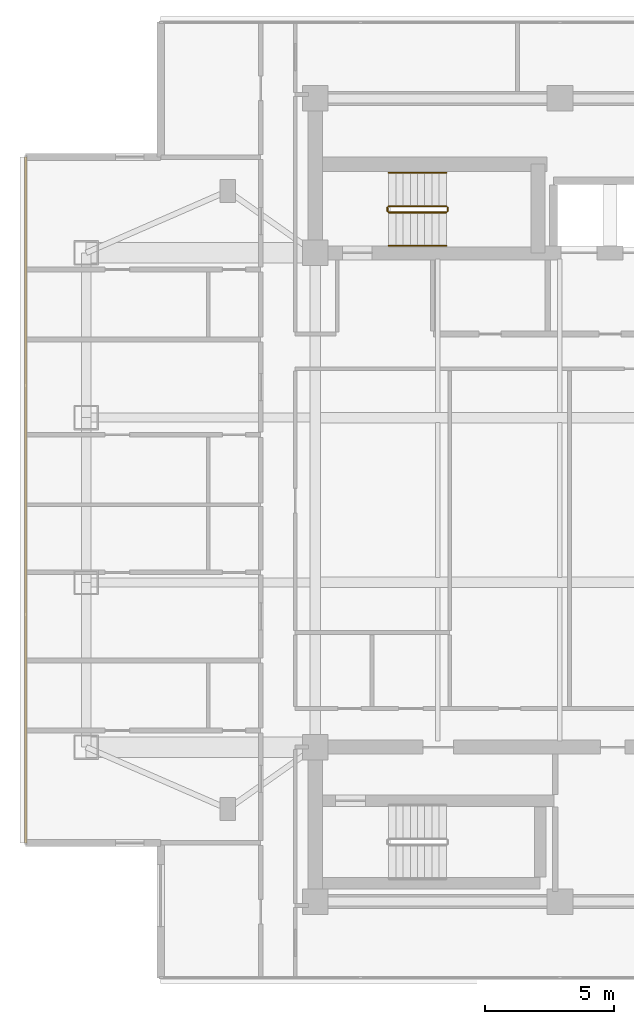
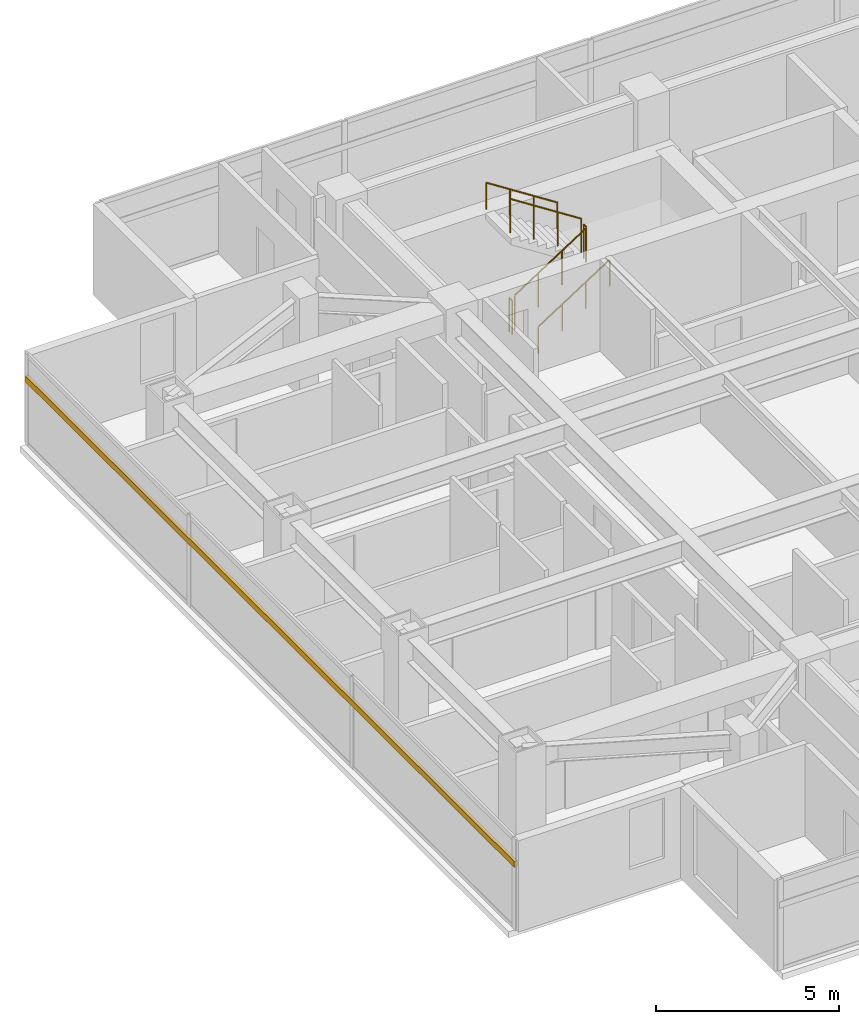
# One storey, part 20 of 24: 6 railings, 1 shading device.
"""IFC4 building model written with IfcOpenShell, lengths in metres."""

import ifcopenshell
import ifcopenshell.guid

model = None  # the IFC model being written
_history = None  # IfcOwnerHistory: only IFC2X3 demands one
_inside = {}  # id of a spatial element -> (the spatial element, [elements in it])
_under = {}  # id of a project, library or spatial element -> (it, [spatial elements below it])
_declared = {}  # id of a project -> (the project, [libraries it declares])
_typed = {}  # id of a type object -> (the type object, [elements of that type])
_made_of = {}  # id of a material, layer set ... -> (it, [elements and type objects made of it])


def new_model(schema):
    """Start an empty IFC model of exactly this schema.

    Asked for "IFC4X3", IfcOpenShell would pick the latest addendum, in which some entities
    have other attributes; the version numbers below select the first issue.
    IFC2X3 requires an IfcOwnerHistory on every rooted entity: one is made here for all.
    """
    global model, _history
    if schema == "IFC4X3":
        model = ifcopenshell.file(schema_version=(4, 3, 0, 0))
    else:
        model = ifcopenshell.file(schema=schema)
    _inside.clear()
    _under.clear()
    _declared.clear()
    _typed.clear()
    _made_of.clear()
    _history = None
    if model.schema == "IFC2X3":
        org = make("IfcOrganization", Name="unknown")
        user = make(
            "IfcPersonAndOrganization",
            ThePerson=make("IfcPerson", FamilyName="unknown"),
            TheOrganization=org,
        )
        app = make(
            "IfcApplication",
            ApplicationDeveloper=org,
            Version="unknown",
            ApplicationFullName="unknown",
            ApplicationIdentifier="unknown",
        )
        _history = make(
            "IfcOwnerHistory",
            OwningUser=user,
            OwningApplication=app,
            ChangeAction="ADDED",
            CreationDate=0,
        )
    return model


def make(cls, **values):
    """One entity of the class cls with the attributes given. An attribute that is None is left unset."""
    return model.create_entity(
        cls, **{name: value for name, value in values.items() if value is not None}
    )


def rooted(cls, **values):
    """An entity with a GlobalId (a new one), such as an element, a storey or a relation."""
    return make(cls, GlobalId=ifcopenshell.guid.new(), OwnerHistory=_history, **values)


def si_unit(unit_type, name, prefix=None):
    """IfcSIUnit, for example si_unit("LENGTHUNIT", "METRE", prefix="MILLI")."""
    return make("IfcSIUnit", UnitType=unit_type, Prefix=prefix, Name=name)


def assignment(units):
    """IfcUnitAssignment: the units of a project."""
    return None if units is None else make("IfcUnitAssignment", Units=units)


def point(xyz):
    """IfcCartesianPoint."""
    return None if xyz is None else make("IfcCartesianPoint", Coordinates=xyz)


def direction(xyz):
    """IfcDirection."""
    return None if xyz is None else make("IfcDirection", DirectionRatios=xyz)


def frame(location, z_axis=None, x_axis=None):
    """IfcAxis2Placement3D, a coordinate frame: its origin and axes. An axis left out is left unset."""
    return make(
        "IfcAxis2Placement3D",
        Location=point(location),
        Axis=direction(z_axis),
        RefDirection=direction(x_axis),
    )


def frame_2d(location, x_axis=None):
    """IfcAxis2Placement2D, a coordinate frame in the plane: its origin and x axis."""
    return make(
        "IfcAxis2Placement2D", Location=point(location), RefDirection=direction(x_axis)
    )


def origin():
    """The frame at (0, 0, 0) with its axes left unset."""
    return frame((0.0, 0.0, 0.0))


def origin_2d():
    """The frame at (0, 0) in the plane with its x axis left unset."""
    return frame_2d((0.0, 0.0))


def place(relative_to, where):
    """IfcLocalPlacement: puts the frame where relative to a parent placement (None: the world)."""
    return make(
        "IfcLocalPlacement", PlacementRelTo=relative_to, RelativePlacement=where
    )


def context(
    kind, dimensions, precision=None, world=None, true_north=None, identifier=None
):
    """IfcGeometricRepresentationContext, for example the 3D "Model" context."""
    return make(
        "IfcGeometricRepresentationContext",
        ContextIdentifier=identifier,
        ContextType=kind,
        CoordinateSpaceDimension=dimensions,
        Precision=precision,
        WorldCoordinateSystem=world,
        TrueNorth=true_north,
    )


def subcontext(parent, identifier, kind, view, scale=None):
    """IfcGeometricRepresentationSubContext, for example "Body" below "Model"."""
    return make(
        "IfcGeometricRepresentationSubContext",
        ContextIdentifier=identifier,
        ContextType=kind,
        ParentContext=parent,
        TargetScale=scale,
        TargetView=view,
    )


def project(units=None, contexts=None):
    """IfcProject with its units and contexts."""
    return rooted(
        "IfcProject",
        Name="project",
        RepresentationContexts=contexts,
        UnitsInContext=assignment(units),
    )


def spatial(cls, under=None, at=None, **own):
    """A site, building, storey or space (cls), placed at a placement, below another one or the project."""
    s = rooted(cls, ObjectPlacement=at, **own)
    if under is not None:
        _under.setdefault(under.id(), (under, []))[1].append(s)
    return s


def profile(cls, at=None, kind="AREA", **sizes):
    """A parametric profile (cls). Its sizes go by their IFC names, for example OverallWidth=200.0."""
    return make(cls, ProfileType=kind, Position=at, **sizes)


def rectangle(**sizes):
    """IfcRectangleProfileDef."""
    return profile("IfcRectangleProfileDef", **sizes)


def circle(**sizes):
    """IfcCircleProfileDef."""
    return profile("IfcCircleProfileDef", **sizes)


def extrude(swept, where, along, depth):
    """IfcExtrudedAreaSolid: the profile swept, set in the frame where, extruded along a direction by depth."""
    return make(
        "IfcExtrudedAreaSolid",
        SweptArea=swept,
        Position=where,
        ExtrudedDirection=direction(along),
        Depth=depth,
    )


def shape(context_of_items, identifier, shape_type, items):
    """IfcShapeRepresentation: the items that make up one representation, for example the "Body"."""
    return make(
        "IfcShapeRepresentation",
        ContextOfItems=context_of_items,
        RepresentationIdentifier=identifier,
        RepresentationType=shape_type,
        Items=items,
    )


def material(Name=None, Category=None):
    """IfcMaterial."""
    return make("IfcMaterial", Name=Name, Category=Category)


def material_profile(
    of_material, cross_section, Name=None, Category=None, Priority=None
):
    """IfcMaterialProfile: a cross section and its material."""
    return make(
        "IfcMaterialProfile",
        Name=Name,
        Material=of_material,
        Profile=cross_section,
        Priority=Priority,
        Category=Category,
    )


def profile_set(profiles, Name=None, composite=None):
    """IfcMaterialProfileSet."""
    return make(
        "IfcMaterialProfileSet",
        Name=Name,
        MaterialProfiles=profiles,
        CompositeProfile=composite,
    )


def made_of(thing, what):
    """Note that an element or type object is made of a material, layer set ...; save() writes the relation."""
    if what is not None:
        _made_of.setdefault(what.id(), (what, []))[1].append(thing)
    return thing


def type_object(cls, material=None, **own):
    """A type object (cls), such as IfcWallType, which elements share."""
    return made_of(rooted(cls, **own), material)


def element(
    cls,
    number,
    at=None,
    inside=None,
    cuts=None,
    type_object=None,
    material=None,
    context=None,
    identifier="Body",
    shape_type=None,
    held_by="IfcProductDefinitionShape",
    body=None,
    shapes=None,
    **own,
):
    """One element of the class cls, such as IfcWall. Its Tag is "e" and its number.

    at: its placement. inside: the storey or other place that contains it. cuts: it is an
    opening in that element (IfcRelVoidsElement). A single representation is given by context,
    identifier, shape_type and body (its items); several are given by shapes. held_by: the class
    of the entity that holds the representations. save() writes the other relations.
    """
    e = rooted(cls, Tag="e%d" % number, ObjectPlacement=at, **own)
    if body is not None:
        shapes = [shape(context, identifier, shape_type, body)]
    if shapes is not None:
        e.Representation = make(held_by, Representations=shapes)
    if inside is not None:
        _inside.setdefault(inside.id(), (inside, []))[1].append(e)
    if cuts is not None:
        rooted(
            "IfcRelVoidsElement", RelatingBuildingElement=cuts, RelatedOpeningElement=e
        )
    if type_object is not None:
        _typed.setdefault(type_object.id(), (type_object, []))[1].append(e)
    return made_of(e, material)


def aggregate(whole, parts):
    """IfcRelAggregates: a whole, such as a stair, and the parts it consists of."""
    return rooted("IfcRelAggregates", RelatingObject=whole, RelatedObjects=parts)


def save(model, path):
    """Write the relations noted so far, then the file.

    IfcRelAggregates (storeys below a building ...), IfcRelContainedInSpatialStructure (elements
    in a storey), IfcRelDefinesByType, IfcRelAssociatesMaterial and IfcRelDeclares: one each for
    every whole, place, type object, material and project.
    """
    for whole, parts in _under.values():
        aggregate(whole, parts)
    for where, things in _inside.values():
        rooted(
            "IfcRelContainedInSpatialStructure",
            RelatedElements=things,
            RelatingStructure=where,
        )
    for kind, things in _typed.values():
        rooted("IfcRelDefinesByType", RelatedObjects=things, RelatingType=kind)
    for what, things in _made_of.values():
        rooted("IfcRelAssociatesMaterial", RelatedObjects=things, RelatingMaterial=what)
    for by, libraries in _declared.values():
        rooted("IfcRelDeclares", RelatingContext=by, RelatedDefinitions=libraries)
    model.write(path)


model = new_model("IFC4")

# Units and contexts
model_context = context("Model", 3, precision=1e-05, world=origin(), true_north=direction((0.0, 1.0)))
body_context = subcontext(model_context, "Body", "Model", "MODEL_VIEW")
ifc_project = project(units=[si_unit("LENGTHUNIT", "METRE"), si_unit("AREAUNIT", "SQUARE_METRE"), si_unit("VOLUMEUNIT", "CUBIC_METRE"), si_unit("PLANEANGLEUNIT", "RADIAN"), si_unit("MASSUNIT", "GRAM", prefix="KILO")], contexts=[model_context])

# Site, building, storey
site_placement = place(None, origin())
site = spatial("IfcSite", under=ifc_project, at=site_placement, CompositionType="ELEMENT")
building_placement = place(site_placement, origin())
building = spatial("IfcBuilding", under=site, at=building_placement, Name="Mirazonda Arch Towers", CompositionType="ELEMENT")
storey_placement = place(building_placement, frame((0.0, 0.0, 167.39990234375)))
storey = spatial("IfcBuildingStorey", under=building, at=storey_placement, Name="L47", CompositionType="ELEMENT", Elevation=167.39990234375)

# Shading device
ifc_material_1 = material(Name="Kiln-Fired Architectural Terracotta", Category="masonry")
ifc_material_profile = material_profile(ifc_material_1, rectangle(XDim=0.10009765625, YDim=0.199951171875, at=origin_2d()), Name="TERRA-BAG-100x200")
ifc_profile_set = profile_set([ifc_material_profile], Name="Kiln-Fired Architectural Terracotta")
shading_device_type = type_object("IfcShadingDeviceType", Name="BAGUETTE-2", PredefinedType="USERDEFINED", material=ifc_profile_set)
shading_device_placement = place(storey_placement, frame((-0.25, 41.31689453125, 2.181640625), z_axis=(0.0, -1.0, 0.0), x_axis=(1.0, 0.0, 0.0)))
element("IfcShadingDevice", 1, at=shading_device_placement, inside=storey, type_object=shading_device_type, Name="L47 Glazed Terracotta Sun-Screen Baguette CW-L47-T1-W", ObjectType="BAGUETTE", PredefinedType="USERDEFINED", context=body_context, shape_type="SweptSolid", body=[
    extrude(rectangle(XDim=0.10009765625, YDim=0.199951171875, at=origin_2d()), origin(), (0.0, 0.0, 1.0), 26.6337890625),
])

# Railings
ifc_material_2 = material(Name="Architectural Brushed Steel S355", Category="steel")
railing_type_1 = type_object("IfcRailingType", Name="GUARD-STAIR-1120", PredefinedType="GUARDRAIL", material=ifc_material_2)
railing_1_placement = place(storey_placement, frame((13.85009765625, 39.169921875, 0.1806640625)))
element("IfcRailing", 2, at=railing_1_placement, inside=storey, type_object=railing_type_1, Name="L47 ST-T1N stair guard 1", PredefinedType="GUARDRAIL", context=body_context, shape_type="SweptSolid", body=[
    extrude(circle(Radius=0.02392578125, at=origin_2d()), frame((0.0, 0.0, 1.1259765625), z_axis=(0.840436612492, 0.0, 0.541909863706), x_axis=(0.0, 1.0, 0.0)), (0.0, 0.0, 1.0), 2.665283203125),
    extrude(circle(Radius=0.02099609375, at=origin_2d()), origin(), (0.0, 0.0, 1.0), 1.101806640625),
    extrude(circle(Radius=0.02099609375, at=origin_2d()), frame((0.74658203125, 0.0, 0.4814453125)), (0.0, 0.0, 1.0), 1.101806640625),
    extrude(circle(Radius=0.02099609375, at=origin_2d()), frame((1.493408203125, 0.0, 0.962890625)), (0.0, 0.0, 1.0), 1.101806640625),
    extrude(circle(Radius=0.02099609375, at=origin_2d()), frame((2.239990234375, 0.0, 1.4443359375)), (0.0, 0.0, 1.0), 1.101806640625),
])
railing_2_placement = place(storey_placement, frame((16.139892578125, 39.219970703125, 1.625)))
element("IfcRailing", 3, at=railing_2_placement, inside=storey, type_object=railing_type_1, Name="L47 ST-T1N stair guard 2", PredefinedType="GUARDRAIL", context=body_context, shape_type="SweptSolid", body=[
    extrude(circle(Radius=0.02392578125, at=origin_2d()), frame((0.0, 0.0, 1.1259765625), z_axis=(0.0, 1.0, 0.0), x_axis=(-1.0, 0.0, 0.0)), (0.0, 0.0, 1.0), 0.14013671875),
    extrude(circle(Radius=0.02099609375, at=origin_2d()), origin(), (0.0, 0.0, 1.0), 1.101806640625),
    extrude(circle(Radius=0.02099609375, at=origin_2d()), frame((0.0, 0.14013671875, 0.0)), (0.0, 0.0, 1.0), 1.101806640625),
])
railing_3_placement = place(storey_placement, frame((16.090087890625, 39.409912109375, 1.8056640625)))
element("IfcRailing", 4, at=railing_3_placement, inside=storey, type_object=railing_type_1, Name="L47 ST-T1N stair guard 3", PredefinedType="GUARDRAIL", context=body_context, shape_type="SweptSolid", body=[
    extrude(circle(Radius=0.02392578125, at=origin_2d()), frame((0.0, 0.0, 1.1259765625), z_axis=(-0.840436612492, 0.0, 0.541909863706), x_axis=(0.0, -1.0, 0.0)), (0.0, 0.0, 1.0), 2.665283203125),
    extrude(circle(Radius=0.02099609375, at=origin_2d()), origin(), (0.0, 0.0, 1.0), 1.101806640625),
    extrude(circle(Radius=0.02099609375, at=origin_2d()), frame((-0.74658203125, 0.0, 0.4814453125)), (0.0, 0.0, 1.0), 1.101806640625),
    extrude(circle(Radius=0.02099609375, at=origin_2d()), frame((-1.493408203125, 0.0, 0.962890625)), (0.0, 0.0, 1.0), 1.101806640625),
    extrude(circle(Radius=0.02099609375, at=origin_2d()), frame((-2.239990234375, 0.0, 1.4443359375)), (0.0, 0.0, 1.0), 1.101806640625),
])
railing_4_placement = place(storey_placement, frame((13.800048828125, 39.219970703125, 0.0)))
element("IfcRailing", 5, at=railing_4_placement, inside=storey, type_object=railing_type_1, Name="L47 ST-T1N stair guard 4", PredefinedType="GUARDRAIL", context=body_context, shape_type="SweptSolid", body=[
    extrude(circle(Radius=0.02392578125, at=origin_2d()), frame((0.0, 0.0, 1.1259765625), z_axis=(0.0, 1.0, 0.0), x_axis=(-1.0, 0.0, 0.0)), (0.0, 0.0, 1.0), 0.14013671875),
    extrude(circle(Radius=0.02099609375, at=origin_2d()), origin(), (0.0, 0.0, 1.0), 1.101806640625),
    extrude(circle(Radius=0.02099609375, at=origin_2d()), frame((0.0, 0.14013671875, 0.0)), (0.0, 0.0, 1.0), 1.101806640625),
])
railing_type_2 = type_object("IfcRailingType", Name="HANDRAIL-915", PredefinedType="HANDRAIL", material=ifc_material_2)
railing_5_placement = place(storey_placement, frame((13.85009765625, 37.8701171875, 0.1806640625)))
element("IfcRailing", 6, at=railing_5_placement, inside=storey, type_object=railing_type_2, Name="L47 ST-T1N stair handrail 1", PredefinedType="HANDRAIL", context=body_context, shape_type="SweptSolid", body=[
    extrude(circle(Radius=0.02392578125, at=origin_2d()), frame((0.0, 0.0, 0.8759765625), z_axis=(0.840436612492, 0.0, 0.541909863706), x_axis=(0.0, 1.0, 0.0)), (0.0, 0.0, 1.0), 2.665283203125),
    extrude(circle(Radius=0.02099609375, at=origin_2d()), origin(), (0.0, 0.0, 1.0), 0.851806640625),
    extrude(circle(Radius=0.02099609375, at=origin_2d()), frame((0.74658203125, 0.0, 0.4814453125)), (0.0, 0.0, 1.0), 0.851806640625),
    extrude(circle(Radius=0.02099609375, at=origin_2d()), frame((1.493408203125, 0.0, 0.962890625)), (0.0, 0.0, 1.0), 0.851806640625),
    extrude(circle(Radius=0.02099609375, at=origin_2d()), frame((2.239990234375, 0.0, 1.4443359375)), (0.0, 0.0, 1.0), 0.851806640625),
])
railing_6_placement = place(storey_placement, frame((16.090087890625, 40.7099609375, 1.8056640625)))
element("IfcRailing", 7, at=railing_6_placement, inside=storey, type_object=railing_type_2, Name="L47 ST-T1N stair handrail 2", PredefinedType="HANDRAIL", context=body_context, shape_type="SweptSolid", body=[
    extrude(circle(Radius=0.02392578125, at=origin_2d()), frame((0.0, 0.0, 0.8759765625), z_axis=(-0.840436612492, 0.0, 0.541909863706), x_axis=(0.0, -1.0, 0.0)), (0.0, 0.0, 1.0), 2.665283203125),
    extrude(circle(Radius=0.02099609375, at=origin_2d()), origin(), (0.0, 0.0, 1.0), 0.851806640625),
    extrude(circle(Radius=0.02099609375, at=origin_2d()), frame((-0.74658203125, 0.0, 0.4814453125)), (0.0, 0.0, 1.0), 0.851806640625),
    extrude(circle(Radius=0.02099609375, at=origin_2d()), frame((-1.493408203125, 0.0, 0.962890625)), (0.0, 0.0, 1.0), 0.851806640625),
    extrude(circle(Radius=0.02099609375, at=origin_2d()), frame((-2.239990234375, 0.0, 1.4443359375)), (0.0, 0.0, 1.0), 0.851806640625),
])

save(model, "model.ifc")
